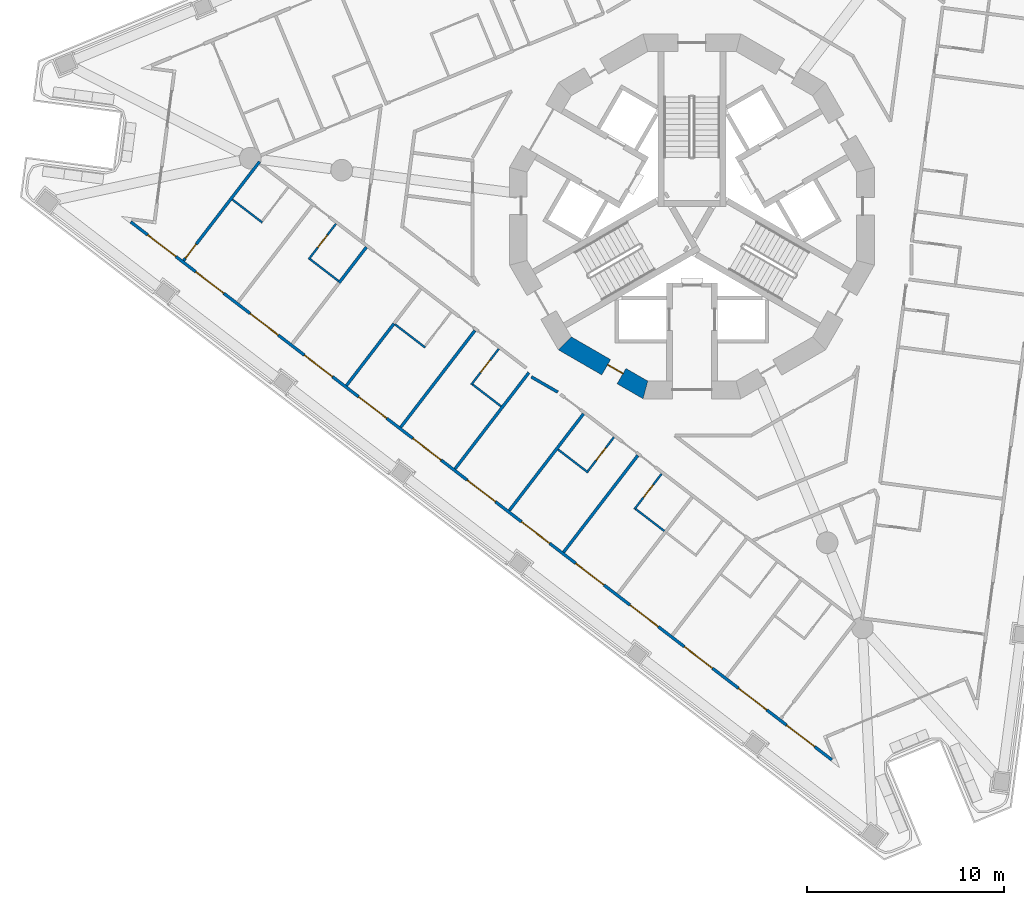
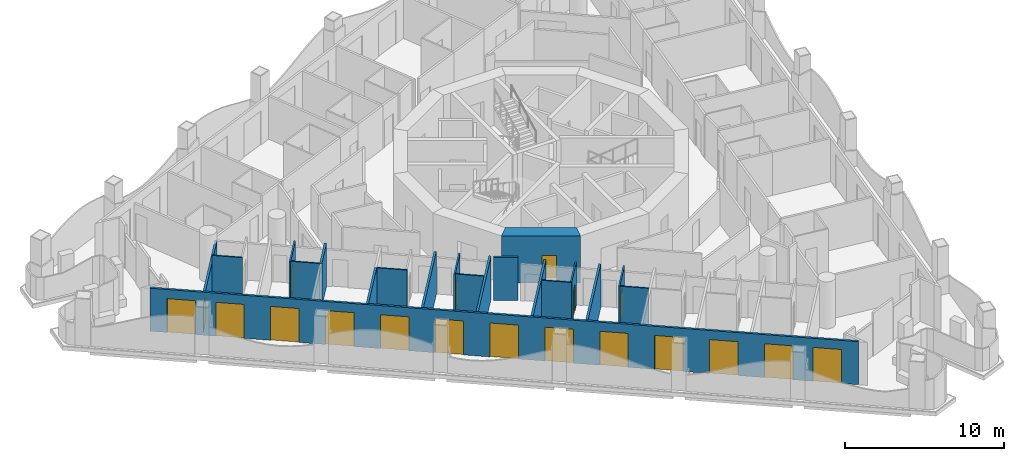
# One storey, part 2 of 17: 20 walls, 19 doors, 19 openings.
"""IFC4 building model written with IfcOpenShell, lengths in metres."""

from ifc_helpers import new_model, si_unit, direction, frame, frame_2d, origin, place, context, subcontext, project, spatial, polyline, rectangle, outline, extrude, material, layer, layer_set, type_object, element, fill, save


model = new_model("IFC4")

# Units and contexts
model_context = context("Model", 3, precision=1e-05, world=origin(), true_north=direction((0.0, 1.0)))
body_context = subcontext(model_context, "Body", "Model", "MODEL_VIEW")
ifc_project = project(units=[si_unit("LENGTHUNIT", "METRE"), si_unit("AREAUNIT", "SQUARE_METRE"), si_unit("VOLUMEUNIT", "CUBIC_METRE"), si_unit("PLANEANGLEUNIT", "RADIAN"), si_unit("MASSUNIT", "GRAM", prefix="KILO")], contexts=[model_context])

# Site, building, storey
site_placement = place(None, origin())
site = spatial("IfcSite", under=ifc_project, at=site_placement, CompositionType="ELEMENT")
building_placement = place(site_placement, origin())
building = spatial("IfcBuilding", under=site, at=building_placement, Name="Trine Commons Tower", CompositionType="ELEMENT")
storey_placement = place(building_placement, frame((0.0, 0.0, 149.39990234375)))
storey = spatial("IfcBuildingStorey", under=building, at=storey_placement, Name="L38", CompositionType="ELEMENT", Elevation=149.39990234375)

# Wall, openings, doors
ifc_material_1 = material(Name="Aluminium-framed insulated wall panel", Category="aluminium")
ifc_layer_1 = layer(ifc_material_1, 0.14990234375)
ifc_layer_set_1 = layer_set([ifc_layer_1], Name="Aluminium-framed insulated wall panel")
wall_type_1 = type_object("IfcWallType", Name="Glazed frame wall 150, EI 60", PredefinedType="SOLIDWALL", material=ifc_layer_set_1)
wall_1_placement = place(storey_placement, frame((87.22509765625, 34.786376953125, 0.0), z_axis=(0.0, 0.0, 1.0), x_axis=(-0.793353605974, 0.608761082764, 0.0)))
wall_1 = element("IfcWall", 1, at=wall_1_placement, inside=storey, type_object=wall_type_1, Name="Glazed frame wall F3", PredefinedType="SOLIDWALL", context=body_context, shape_type="SweptSolid", body=[
    extrude(outline(polyline([(0.1494140625, 0.074951171875), (0.1494140625, -0.074951171875), (45.056884765625, -0.074951171875), (45.056884765625, 0.074951171875), (0.1494140625, 0.074951171875)])), origin(), (0.0, 0.0, 1.0), 3.300048828125),
])
opening_1_placement = place(wall_1_placement, frame((1.23876953125, 0.0, 0.0)))
opening_1 = element("IfcOpeningElement", 2, at=opening_1_placement, cuts=wall_1, Name="Opening BD-4F3-01", PredefinedType="OPENING", context=body_context, shape_type="SweptSolid", body=[
    extrude(rectangle(XDim=1.800048828125, YDim=2.60009765625, at=frame_2d((0.89990234375, 1.300048828125))), frame((0.0, 0.0849609375, 0.0), z_axis=(0.0, -1.0, 0.0), x_axis=(1.0, 0.0, 0.0)), (0.0, 0.0, 1.0), 0.169921875),
])
opening_2_placement = place(wall_1_placement, frame((4.316162109375, 0.0, 0.0)))
opening_2 = element("IfcOpeningElement", 3, at=opening_2_placement, cuts=wall_1, Name="Opening BD-4F3-02", PredefinedType="OPENING", context=body_context, shape_type="SweptSolid", body=[
    extrude(rectangle(XDim=1.800048828125, YDim=2.60009765625, at=frame_2d((0.89990234375, 1.300048828125))), frame((0.0, 0.0849609375, 0.0), z_axis=(0.0, -1.0, 0.0), x_axis=(1.0, 0.0, 0.0)), (0.0, 0.0, 1.0), 0.169921875),
])
opening_3_placement = place(wall_1_placement, frame((7.79345703125, 0.0, 0.0)))
opening_3 = element("IfcOpeningElement", 4, at=opening_3_placement, cuts=wall_1, Name="Opening BD-4F3-03", PredefinedType="OPENING", context=body_context, shape_type="SweptSolid", body=[
    extrude(rectangle(XDim=1.800048828125, YDim=2.60009765625, at=frame_2d((0.89990234375, 1.300048828125))), frame((0.0, 0.0849609375, 0.0), z_axis=(0.0, -1.0, 0.0), x_axis=(1.0, 0.0, 0.0)), (0.0, 0.0, 1.0), 0.169921875),
])
opening_4_placement = place(wall_1_placement, frame((11.27099609375, 0.0, 0.0)))
opening_4 = element("IfcOpeningElement", 5, at=opening_4_placement, cuts=wall_1, Name="Opening BD-4F3-04", PredefinedType="OPENING", context=body_context, shape_type="SweptSolid", body=[
    extrude(rectangle(XDim=1.800048828125, YDim=2.60009765625, at=frame_2d((0.89990234375, 1.300048828125))), frame((0.0, 0.0849609375, 0.0), z_axis=(0.0, -1.0, 0.0), x_axis=(1.0, 0.0, 0.0)), (0.0, 0.0, 1.0), 0.169921875),
])
opening_5_placement = place(wall_1_placement, frame((14.748291015625, 0.0, 0.0)))
opening_5 = element("IfcOpeningElement", 6, at=opening_5_placement, cuts=wall_1, Name="Opening BD-4F3-05", PredefinedType="OPENING", context=body_context, shape_type="SweptSolid", body=[
    extrude(rectangle(XDim=1.800048828125, YDim=2.60009765625, at=frame_2d((0.89990234375, 1.300048828125))), frame((0.0, 0.0849609375, 0.0), z_axis=(0.0, -1.0, 0.0), x_axis=(1.0, 0.0, 0.0)), (0.0, 0.0, 1.0), 0.169921875),
])
opening_6_placement = place(wall_1_placement, frame((18.2255859375, 0.0, 0.0)))
opening_6 = element("IfcOpeningElement", 7, at=opening_6_placement, cuts=wall_1, Name="Opening BD-4F3-06", PredefinedType="OPENING", context=body_context, shape_type="SweptSolid", body=[
    extrude(rectangle(XDim=1.800048828125, YDim=2.60009765625, at=frame_2d((0.89990234375, 1.300048828125))), frame((0.0, 0.0849609375, 0.0), z_axis=(0.0, -1.0, 0.0), x_axis=(1.0, 0.0, 0.0)), (0.0, 0.0, 1.0), 0.169921875),
])
opening_7_placement = place(wall_1_placement, frame((21.703125, 0.0, 0.0)))
opening_7 = element("IfcOpeningElement", 8, at=opening_7_placement, cuts=wall_1, Name="Opening BD-4F3-07", PredefinedType="OPENING", context=body_context, shape_type="SweptSolid", body=[
    extrude(rectangle(XDim=1.800048828125, YDim=2.60009765625, at=frame_2d((0.89990234375, 1.300048828125))), frame((0.0, 0.0849609375, 0.0), z_axis=(0.0, -1.0, 0.0), x_axis=(1.0, 0.0, 0.0)), (0.0, 0.0, 1.0), 0.169921875),
])
opening_8_placement = place(wall_1_placement, frame((25.180419921875, 0.0, 0.0)))
opening_8 = element("IfcOpeningElement", 9, at=opening_8_placement, cuts=wall_1, Name="Opening BD-4F3-08", PredefinedType="OPENING", context=body_context, shape_type="SweptSolid", body=[
    extrude(rectangle(XDim=1.800048828125, YDim=2.60009765625, at=frame_2d((0.89990234375, 1.300048828125))), frame((0.0, 0.0849609375, 0.0), z_axis=(0.0, -1.0, 0.0), x_axis=(1.0, 0.0, 0.0)), (0.0, 0.0, 1.0), 0.169921875),
])
opening_9_placement = place(wall_1_placement, frame((28.657958984375, 0.0, 0.0)))
opening_9 = element("IfcOpeningElement", 10, at=opening_9_placement, cuts=wall_1, Name="Opening BD-4F3-09", PredefinedType="OPENING", context=body_context, shape_type="SweptSolid", body=[
    extrude(rectangle(XDim=1.800048828125, YDim=2.60009765625, at=frame_2d((0.89990234375, 1.300048828125))), frame((0.0, 0.0849609375, 0.0), z_axis=(0.0, -1.0, 0.0), x_axis=(1.0, 0.0, 0.0)), (0.0, 0.0, 1.0), 0.169921875),
])
opening_10_placement = place(wall_1_placement, frame((32.13525390625, 0.0, 0.0)))
opening_10 = element("IfcOpeningElement", 11, at=opening_10_placement, cuts=wall_1, Name="Opening BD-4F3-10", PredefinedType="OPENING", context=body_context, shape_type="SweptSolid", body=[
    extrude(rectangle(XDim=1.800048828125, YDim=2.60009765625, at=frame_2d((0.89990234375, 1.300048828125))), frame((0.0, 0.0849609375, 0.0), z_axis=(0.0, -1.0, 0.0), x_axis=(1.0, 0.0, 0.0)), (0.0, 0.0, 1.0), 0.169921875),
])
opening_11_placement = place(wall_1_placement, frame((35.61279296875, 0.0, 0.0)))
opening_11 = element("IfcOpeningElement", 12, at=opening_11_placement, cuts=wall_1, Name="Opening BD-4F3-11", PredefinedType="OPENING", context=body_context, shape_type="SweptSolid", body=[
    extrude(rectangle(XDim=1.800048828125, YDim=2.60009765625, at=frame_2d((0.89990234375, 1.300048828125))), frame((0.0, 0.0849609375, 0.0), z_axis=(0.0, -1.0, 0.0), x_axis=(1.0, 0.0, 0.0)), (0.0, 0.0, 1.0), 0.169921875),
])
opening_12_placement = place(wall_1_placement, frame((39.090087890625, 0.0, 0.0)))
opening_12 = element("IfcOpeningElement", 13, at=opening_12_placement, cuts=wall_1, Name="Opening BD-4F3-12", PredefinedType="OPENING", context=body_context, shape_type="SweptSolid", body=[
    extrude(rectangle(XDim=1.800048828125, YDim=2.60009765625, at=frame_2d((0.89990234375, 1.300048828125))), frame((0.0, 0.0849609375, 0.0), z_axis=(0.0, -1.0, 0.0), x_axis=(1.0, 0.0, 0.0)), (0.0, 0.0, 1.0), 0.169921875),
])
opening_13_placement = place(wall_1_placement, frame((42.16748046875, 0.0, 0.0)))
opening_13 = element("IfcOpeningElement", 14, at=opening_13_placement, cuts=wall_1, Name="Opening BD-4F3-13", PredefinedType="OPENING", context=body_context, shape_type="SweptSolid", body=[
    extrude(rectangle(XDim=1.800048828125, YDim=2.60009765625, at=frame_2d((0.89990234375, 1.300048828125))), frame((0.0, 0.0849609375, 0.0), z_axis=(0.0, -1.0, 0.0), x_axis=(1.0, 0.0, 0.0)), (0.0, 0.0, 1.0), 0.169921875),
])
ifc_material_2 = material(Name="Anodised aluminium frame with double glazing", Category="aluminium")
door_type_1 = type_object("IfcDoorType", Name="Sliding loggia door 1800x2600", OperationType="SLIDING_TO_LEFT", PredefinedType="DOOR", material=ifc_material_2)
door_1_placement = place(opening_1_placement, origin())
door_1 = element("IfcDoor", 15, at=door_1_placement, inside=storey, type_object=door_type_1, Name="Loggia door F3 1", OperationType="SLIDING_TO_LEFT", OverallHeight=2.60009765625, OverallWidth=1.800048828125, PredefinedType="DOOR", context=body_context, shape_type="SweptSolid", body=[
    extrude(rectangle(XDim=1.800048828125, YDim=2.60009765625, at=frame_2d((0.89990234375, 1.300048828125))), frame((0.0, 0.02490234375, 0.0), z_axis=(0.0, -1.0, 0.0), x_axis=(1.0, 0.0, 0.0)), (0.0, 0.0, 1.0), 0.050048828125),
])
fill(opening_1, door_1)
door_2_placement = place(opening_2_placement, origin())
door_2 = element("IfcDoor", 16, at=door_2_placement, inside=storey, type_object=door_type_1, Name="Loggia door F3 2", OperationType="SLIDING_TO_LEFT", OverallHeight=2.60009765625, OverallWidth=1.800048828125, PredefinedType="DOOR", context=body_context, shape_type="SweptSolid", body=[
    extrude(rectangle(XDim=1.800048828125, YDim=2.60009765625, at=frame_2d((0.89990234375, 1.300048828125))), frame((0.0, 0.02490234375, 0.0), z_axis=(0.0, -1.0, 0.0), x_axis=(1.0, 0.0, 0.0)), (0.0, 0.0, 1.0), 0.050048828125),
])
fill(opening_2, door_2)
door_3_placement = place(opening_3_placement, origin())
door_3 = element("IfcDoor", 17, at=door_3_placement, inside=storey, type_object=door_type_1, Name="Loggia door F3 3", OperationType="SLIDING_TO_LEFT", OverallHeight=2.60009765625, OverallWidth=1.800048828125, PredefinedType="DOOR", context=body_context, shape_type="SweptSolid", body=[
    extrude(rectangle(XDim=1.800048828125, YDim=2.60009765625, at=frame_2d((0.89990234375, 1.300048828125))), frame((0.0, 0.02490234375, 0.0), z_axis=(0.0, -1.0, 0.0), x_axis=(1.0, 0.0, 0.0)), (0.0, 0.0, 1.0), 0.050048828125),
])
fill(opening_3, door_3)
door_4_placement = place(opening_4_placement, origin())
door_4 = element("IfcDoor", 18, at=door_4_placement, inside=storey, type_object=door_type_1, Name="Loggia door F3 4", OperationType="SLIDING_TO_LEFT", OverallHeight=2.60009765625, OverallWidth=1.800048828125, PredefinedType="DOOR", context=body_context, shape_type="SweptSolid", body=[
    extrude(rectangle(XDim=1.800048828125, YDim=2.60009765625, at=frame_2d((0.89990234375, 1.300048828125))), frame((0.0, 0.02490234375, 0.0), z_axis=(0.0, -1.0, 0.0), x_axis=(1.0, 0.0, 0.0)), (0.0, 0.0, 1.0), 0.050048828125),
])
fill(opening_4, door_4)
door_5_placement = place(opening_5_placement, origin())
door_5 = element("IfcDoor", 19, at=door_5_placement, inside=storey, type_object=door_type_1, Name="Loggia door F3 5", OperationType="SLIDING_TO_LEFT", OverallHeight=2.60009765625, OverallWidth=1.800048828125, PredefinedType="DOOR", context=body_context, shape_type="SweptSolid", body=[
    extrude(rectangle(XDim=1.800048828125, YDim=2.60009765625, at=frame_2d((0.89990234375, 1.300048828125))), frame((0.0, 0.02490234375, 0.0), z_axis=(0.0, -1.0, 0.0), x_axis=(1.0, 0.0, 0.0)), (0.0, 0.0, 1.0), 0.050048828125),
])
fill(opening_5, door_5)
door_6_placement = place(opening_6_placement, origin())
door_6 = element("IfcDoor", 20, at=door_6_placement, inside=storey, type_object=door_type_1, Name="Loggia door F3 6", OperationType="SLIDING_TO_LEFT", OverallHeight=2.60009765625, OverallWidth=1.800048828125, PredefinedType="DOOR", context=body_context, shape_type="SweptSolid", body=[
    extrude(rectangle(XDim=1.800048828125, YDim=2.60009765625, at=frame_2d((0.89990234375, 1.300048828125))), frame((0.0, 0.02490234375, 0.0), z_axis=(0.0, -1.0, 0.0), x_axis=(1.0, 0.0, 0.0)), (0.0, 0.0, 1.0), 0.050048828125),
])
fill(opening_6, door_6)
door_7_placement = place(opening_7_placement, origin())
door_7 = element("IfcDoor", 21, at=door_7_placement, inside=storey, type_object=door_type_1, Name="Loggia door F3 7", OperationType="SLIDING_TO_LEFT", OverallHeight=2.60009765625, OverallWidth=1.800048828125, PredefinedType="DOOR", context=body_context, shape_type="SweptSolid", body=[
    extrude(rectangle(XDim=1.800048828125, YDim=2.60009765625, at=frame_2d((0.89990234375, 1.300048828125))), frame((0.0, 0.02490234375, 0.0), z_axis=(0.0, -1.0, 0.0), x_axis=(1.0, 0.0, 0.0)), (0.0, 0.0, 1.0), 0.050048828125),
])
fill(opening_7, door_7)
door_8_placement = place(opening_8_placement, origin())
door_8 = element("IfcDoor", 22, at=door_8_placement, inside=storey, type_object=door_type_1, Name="Loggia door F3 8", OperationType="SLIDING_TO_LEFT", OverallHeight=2.60009765625, OverallWidth=1.800048828125, PredefinedType="DOOR", context=body_context, shape_type="SweptSolid", body=[
    extrude(rectangle(XDim=1.800048828125, YDim=2.60009765625, at=frame_2d((0.89990234375, 1.300048828125))), frame((0.0, 0.02490234375, 0.0), z_axis=(0.0, -1.0, 0.0), x_axis=(1.0, 0.0, 0.0)), (0.0, 0.0, 1.0), 0.050048828125),
])
fill(opening_8, door_8)
door_9_placement = place(opening_9_placement, origin())
door_9 = element("IfcDoor", 23, at=door_9_placement, inside=storey, type_object=door_type_1, Name="Loggia door F3 9", OperationType="SLIDING_TO_LEFT", OverallHeight=2.60009765625, OverallWidth=1.800048828125, PredefinedType="DOOR", context=body_context, shape_type="SweptSolid", body=[
    extrude(rectangle(XDim=1.800048828125, YDim=2.60009765625, at=frame_2d((0.89990234375, 1.300048828125))), frame((0.0, 0.02490234375, 0.0), z_axis=(0.0, -1.0, 0.0), x_axis=(1.0, 0.0, 0.0)), (0.0, 0.0, 1.0), 0.050048828125),
])
fill(opening_9, door_9)
door_10_placement = place(opening_10_placement, origin())
door_10 = element("IfcDoor", 24, at=door_10_placement, inside=storey, type_object=door_type_1, Name="Loggia door F3 10", OperationType="SLIDING_TO_LEFT", OverallHeight=2.60009765625, OverallWidth=1.800048828125, PredefinedType="DOOR", context=body_context, shape_type="SweptSolid", body=[
    extrude(rectangle(XDim=1.800048828125, YDim=2.60009765625, at=frame_2d((0.89990234375, 1.300048828125))), frame((0.0, 0.02490234375, 0.0), z_axis=(0.0, -1.0, 0.0), x_axis=(1.0, 0.0, 0.0)), (0.0, 0.0, 1.0), 0.050048828125),
])
fill(opening_10, door_10)
door_11_placement = place(opening_11_placement, origin())
door_11 = element("IfcDoor", 25, at=door_11_placement, inside=storey, type_object=door_type_1, Name="Loggia door F3 11", OperationType="SLIDING_TO_LEFT", OverallHeight=2.60009765625, OverallWidth=1.800048828125, PredefinedType="DOOR", context=body_context, shape_type="SweptSolid", body=[
    extrude(rectangle(XDim=1.800048828125, YDim=2.60009765625, at=frame_2d((0.89990234375, 1.300048828125))), frame((0.0, 0.02490234375, 0.0), z_axis=(0.0, -1.0, 0.0), x_axis=(1.0, 0.0, 0.0)), (0.0, 0.0, 1.0), 0.050048828125),
])
fill(opening_11, door_11)
door_12_placement = place(opening_12_placement, origin())
door_12 = element("IfcDoor", 26, at=door_12_placement, inside=storey, type_object=door_type_1, Name="Loggia door F3 12", OperationType="SLIDING_TO_LEFT", OverallHeight=2.60009765625, OverallWidth=1.800048828125, PredefinedType="DOOR", context=body_context, shape_type="SweptSolid", body=[
    extrude(rectangle(XDim=1.800048828125, YDim=2.60009765625, at=frame_2d((0.89990234375, 1.300048828125))), frame((0.0, 0.02490234375, 0.0), z_axis=(0.0, -1.0, 0.0), x_axis=(1.0, 0.0, 0.0)), (0.0, 0.0, 1.0), 0.050048828125),
])
fill(opening_12, door_12)
door_13_placement = place(opening_13_placement, origin())
door_13 = element("IfcDoor", 27, at=door_13_placement, inside=storey, type_object=door_type_1, Name="Loggia door F3 13", OperationType="SLIDING_TO_LEFT", OverallHeight=2.60009765625, OverallWidth=1.800048828125, PredefinedType="DOOR", context=body_context, shape_type="SweptSolid", body=[
    extrude(rectangle(XDim=1.800048828125, YDim=2.60009765625, at=frame_2d((0.89990234375, 1.300048828125))), frame((0.0, 0.02490234375, 0.0), z_axis=(0.0, -1.0, 0.0), x_axis=(1.0, 0.0, 0.0)), (0.0, 0.0, 1.0), 0.050048828125),
])
fill(opening_13, door_13)

# Wall, opening, door
ifc_material_3 = material(Name="Concrete C70/85", Category="concrete")
ifc_layer_2 = layer(ifc_material_3, 0.89990234375)
ifc_layer_set_2 = layer_set([ifc_layer_2], Name="Concrete C70/85")
wall_type_2 = type_object("IfcWallType", Name="RC shear wall 900 mm, C70/85", PredefinedType="SHEAR", material=ifc_layer_set_2)
wall_2_placement = place(storey_placement, frame((73.436767578125, 56.1015625, 0.0), z_axis=(0.0, 0.0, 1.0), x_axis=(0.866003133579, -0.500038571144, 0.0)))
wall_2 = element("IfcWall", 28, at=wall_2_placement, inside=storey, type_object=wall_type_2, Name="Core wall CWD-09 L38", PredefinedType="SHEAR", context=body_context, shape_type="SweptSolid", body=[
    extrude(outline(polyline([(0.0, -0.449951171875), (4.96923828125, -0.449951171875), (4.72802734375, 0.449951171875), (0.2412109375, 0.449951171875), (0.0, -0.449951171875)])), origin(), (0.0, 0.0, 1.0), 3.60009765625),
])
opening_14_placement = place(wall_2_placement, frame((2.5458984375, 0.0, 0.0)))
opening_14 = element("IfcOpeningElement", 29, at=opening_14_placement, cuts=wall_2, Name="Opening K09.14", PredefinedType="OPENING", context=body_context, shape_type="SweptSolid", body=[
    extrude(rectangle(XDim=0.89990234375, YDim=2.10009765625, at=frame_2d((0.449951171875, 1.050048828125))), frame((0.0, 0.4599609375, 0.0), z_axis=(0.0, -1.0, 0.0), x_axis=(1.0, 0.0, 0.0)), (0.0, 0.0, 1.0), 0.919921875),
])
ifc_material_4 = material(Name="Steel door leaf, fire-rated", Category="steel")
door_type_2 = type_object("IfcDoorType", Name="Core room door, single leaf 900 x 2100, FD30S", OperationType="SINGLE_SWING_LEFT", PredefinedType="DOOR", material=ifc_material_4)
door_14_placement = place(opening_14_placement, origin())
door_14 = element("IfcDoor", 30, at=door_14_placement, inside=storey, type_object=door_type_2, Name="Door to Core WC L38", OperationType="SINGLE_SWING_RIGHT", OverallHeight=2.10009765625, OverallWidth=0.89990234375, PredefinedType="DOOR", context=body_context, shape_type="SweptSolid", body=[
    extrude(rectangle(XDim=0.89990234375, YDim=2.10009765625, at=frame_2d((0.449951171875, 1.050048828125))), frame((0.0, 0.1748046875, 0.0), z_axis=(0.0, -1.0, 0.0), x_axis=(1.0, 0.0, 0.0)), (0.0, 0.0, 1.0), 0.050048828125),
])
fill(opening_14, door_14)

ifc_material_5 = material(Name="Gypsum plasterboard on steel stud", Category="steel")
ifc_layer_3 = layer(ifc_material_5, 0.14990234375)
ifc_layer_set_3 = layer_set([ifc_layer_3], Name="Gypsum plasterboard on steel stud")
wall_type_3 = type_object("IfcWallType", Name="Unit and corridor wall 150 mm, EI 60", PredefinedType="PARTITIONING", material=ifc_layer_set_3)
wall_3_placement = place(storey_placement, frame((54.165283203125, 60.248779296875, 0.0), z_axis=(0.0, 0.0, 1.0), x_axis=(0.608817658648, 0.793310190605, 0.0)))
wall_3 = element("IfcWall", 31, at=wall_3_placement, inside=storey, type_object=wall_type_3, Name="Partition 001", PredefinedType="PARTITIONING", context=body_context, shape_type="SweptSolid", body=[
    extrude(rectangle(XDim=6.343994140625, YDim=0.14990234375, at=frame_2d((3.171875, 0.0))), origin(), (0.0, 0.0, 1.0), 2.800048828125),
])
opening_15_placement = place(wall_3_placement, frame((0.14990234375, 0.0, 0.0)))
opening_15 = element("IfcOpeningElement", 32, at=opening_15_placement, cuts=wall_3, Name="Opening D-4C32", PredefinedType="OPENING", context=body_context, shape_type="SweptSolid", body=[
    extrude(rectangle(XDim=0.89990234375, YDim=2.10009765625, at=frame_2d((0.449951171875, 1.050048828125))), frame((0.0, 0.0849609375, 0.0), z_axis=(0.0, -1.0, 0.0), x_axis=(1.0, 0.0, 0.0)), (0.0, 0.0, 1.0), 0.169921875),
])
ifc_material_6 = material(Name="Timber fire door set", Category="wood")
door_type_3 = type_object("IfcDoorType", Name="Bedroom door 900 x 2100, FD30S", OperationType="NOTDEFINED", PredefinedType="DOOR", material=ifc_material_6)
door_15_placement = place(opening_15_placement, frame((0.89990234375, 0.0, 0.0), z_axis=(0.0, 0.0, 1.0), x_axis=(-1.0, 0.0, 0.0)))
door_15 = element("IfcDoor", 33, at=door_15_placement, inside=storey, type_object=door_type_3, Name="Door D-4C32", OperationType="SINGLE_SWING_RIGHT", OverallHeight=2.10009765625, OverallWidth=0.89990234375, PredefinedType="DOOR", context=body_context, shape_type="SweptSolid", body=[
    extrude(rectangle(XDim=0.89990234375, YDim=2.10009765625, at=frame_2d((0.449951171875, 1.050048828125))), frame((0.0, 0.02490234375, 0.0), z_axis=(0.0, -1.0, 0.0), x_axis=(1.0, 0.0, 0.0)), (0.0, 0.0, 1.0), 0.050048828125),
])
fill(opening_15, door_15)

# Walls
wall_4_placement = place(storey_placement, frame((62.066650390625, 59.121337890625, 0.0), z_axis=(0.0, 0.0, 1.0), x_axis=(0.608570992326, 0.793499431191, 0.0)))
element("IfcWall", 34, at=wall_4_placement, inside=storey, type_object=wall_type_3, Name="Partition 017", PredefinedType="PARTITIONING", context=body_context, shape_type="SweptSolid", body=[
    extrude(rectangle(XDim=2.278564453125, YDim=0.14990234375, at=frame_2d((1.13916015625, 0.0))), origin(), (0.0, 0.0, 1.0), 3.300048828125),
])
wall_5_placement = place(storey_placement, frame((62.44140625, 53.897705078125, 0.0), z_axis=(0.0, 0.0, 1.0), x_axis=(0.608741371631, 0.793368730455, 0.0)))
element("IfcWall", 35, at=wall_5_placement, inside=storey, type_object=wall_type_3, Name="Partition 018", PredefinedType="PARTITIONING", context=body_context, shape_type="SweptSolid", body=[
    extrude(rectangle(XDim=3.9697265625, YDim=0.14990234375, at=frame_2d((1.98486328125, 0.0))), origin(), (0.0, 0.0, 1.0), 3.300048828125),
])
wall_6_placement = place(storey_placement, frame((65.2001953125, 51.78076171875, 0.0), z_axis=(0.0, 0.0, 1.0), x_axis=(0.608735145032, 0.793373508004, 0.0)))
element("IfcWall", 36, at=wall_6_placement, inside=storey, type_object=wall_type_3, Name="Partition 027", PredefinedType="PARTITIONING", context=body_context, shape_type="SweptSolid", body=[
    extrude(rectangle(XDim=6.19482421875, YDim=0.14990234375, at=frame_2d((3.097412109375, 0.0))), origin(), (0.0, 0.0, 1.0), 3.300048828125),
])
wall_7_placement = place(storey_placement, frame((67.959228515625, 49.664794921875, 0.0), z_axis=(0.0, 0.0, 1.0), x_axis=(0.608744029894, 0.793366690798, 0.0)))
element("IfcWall", 37, at=wall_7_placement, inside=storey, type_object=wall_type_3, Name="Partition 038", PredefinedType="PARTITIONING", context=body_context, shape_type="SweptSolid", body=[
    extrude(rectangle(XDim=6.166259765625, YDim=0.14990234375, at=frame_2d((3.0830078125, 0.0))), origin(), (0.0, 0.0, 1.0), 3.300048828125),
])
wall_8_placement = place(storey_placement, frame((70.71826171875, 47.547607421875, 0.0), z_axis=(0.0, 0.0, 1.0), x_axis=(0.608712047114, 0.79339122991, 0.0)))
element("IfcWall", 38, at=wall_8_placement, inside=storey, type_object=wall_type_3, Name="Partition 047", PredefinedType="PARTITIONING", context=body_context, shape_type="SweptSolid", body=[
    extrude(rectangle(XDim=6.193359375, YDim=0.14990234375, at=frame_2d((3.0966796875, 0.0))), origin(), (0.0, 0.0, 1.0), 3.300048828125),
])
wall_9_placement = place(storey_placement, frame((71.839111328125, 54.339111328125, 0.0), z_axis=(0.0, 0.0, 1.0), x_axis=(0.866054481515, -0.499949632511, 0.0)))
element("IfcWall", 39, at=wall_9_placement, inside=storey, type_object=wall_type_3, Name="Partition 052", PredefinedType="PARTITIONING", context=body_context, shape_type="SweptSolid", body=[
    extrude(rectangle(XDim=1.550537109375, YDim=0.14990234375, at=frame_2d((0.775390625, 0.0))), origin(), (0.0, 0.0, 1.0), 3.300048828125),
])
wall_10_placement = place(storey_placement, frame((73.476318359375, 45.4306640625, 0.0), z_axis=(0.0, 0.0, 1.0), x_axis=(0.608811285709, 0.79331508141, 0.0)))
element("IfcWall", 40, at=wall_10_placement, inside=storey, type_object=wall_type_3, Name="Partition 056", PredefinedType="PARTITIONING", context=body_context, shape_type="SweptSolid", body=[
    extrude(rectangle(XDim=6.194091796875, YDim=0.14990234375, at=frame_2d((3.09716796875, 0.0))), origin(), (0.0, 0.0, 1.0), 3.300048828125),
])
ifc_layer_4 = layer(ifc_material_5, 0.10009765625)
ifc_layer_set_4 = layer_set([ifc_layer_4], Name="Gypsum plasterboard on steel stud")
wall_type_4 = type_object("IfcWallType", Name="Unit partition 100 mm, no rating", PredefinedType="PARTITIONING", material=ifc_layer_set_4)
wall_11_placement = place(storey_placement, frame((56.640380859375, 63.352294921875, 0.0), z_axis=(0.0, 0.0, 1.0), x_axis=(0.793438942522, -0.608649853766, 0.0)))
element("IfcWall", 41, at=wall_11_placement, inside=storey, type_object=wall_type_4, Name="Partition 003", PredefinedType="PARTITIONING", context=body_context, shape_type="SweptSolid", body=[
    extrude(rectangle(XDim=1.925048828125, YDim=0.10009765625, at=frame_2d((0.96240234375, 0.0))), origin(), (0.0, 0.0, 1.0), 3.300048828125),
])

# Wall, opening, door
wall_12_placement = place(storey_placement, frame((60.521484375, 60.311279296875, 0.0), z_axis=(0.0, 0.0, 1.0), x_axis=(0.608719842686, 0.793385248867, 0.0)))
wall_12 = element("IfcWall", 42, at=wall_12_placement, inside=storey, type_object=wall_type_4, Name="Partition 012", PredefinedType="PARTITIONING", context=body_context, shape_type="SweptSolid", body=[
    extrude(rectangle(XDim=2.275390625, YDim=0.10009765625, at=frame_2d((1.1376953125, 0.0))), origin(), (0.0, 0.0, 1.0), 3.300048828125),
])
opening_16_placement = place(wall_12_placement, frame((0.762451171875, 0.0, 0.0)))
opening_16 = element("IfcOpeningElement", 43, at=opening_16_placement, cuts=wall_12, Name="Opening D-4C60", PredefinedType="OPENING", context=body_context, shape_type="SweptSolid", body=[
    extrude(rectangle(XDim=0.800048828125, YDim=2.10009765625, at=frame_2d((0.39990234375, 1.050048828125))), frame((0.0, 0.06005859375, 0.0), z_axis=(0.0, -1.0, 0.0), x_axis=(1.0, 0.0, 0.0)), (0.0, 0.0, 1.0), 0.1201171875),
])
ifc_material_7 = material(Name="Painted timber", Category="wood")
door_type_4 = type_object("IfcDoorType", Name="Internal door 800 x 2100, NOT RATED", OperationType="NOTDEFINED", PredefinedType="DOOR", material=ifc_material_7)
door_16_placement = place(opening_16_placement, origin())
door_16 = element("IfcDoor", 44, at=door_16_placement, inside=storey, type_object=door_type_4, Name="Door D-4C60", OperationType="SINGLE_SWING_RIGHT", OverallHeight=2.10009765625, OverallWidth=0.800048828125, PredefinedType="DOOR", context=body_context, shape_type="SweptSolid", body=[
    extrude(rectangle(XDim=0.800048828125, YDim=2.10009765625, at=frame_2d((0.39990234375, 1.050048828125))), frame((0.0, 0.02490234375, 0.0), z_axis=(0.0, -1.0, 0.0), x_axis=(1.0, 0.0, 0.0)), (0.0, 0.0, 1.0), 0.050048828125),
])
fill(opening_16, door_16)

# Walls
wall_13_placement = place(storey_placement, frame((60.591796875, 60.320556640625, 0.0), z_axis=(0.0, 0.0, 1.0), x_axis=(0.793369431695, -0.608740457709, 0.0)))
element("IfcWall", 45, at=wall_13_placement, inside=storey, type_object=wall_type_4, Name="Partition 013", PredefinedType="PARTITIONING", context=body_context, shape_type="SweptSolid", body=[
    extrude(rectangle(XDim=1.82470703125, YDim=0.10009765625, at=frame_2d((0.912353515625, 0.0))), origin(), (0.0, 0.0, 1.0), 3.300048828125),
])
wall_14_placement = place(storey_placement, frame((64.91748046875, 57.001220703125, 0.0), z_axis=(0.0, 0.0, 1.0), x_axis=(0.793391951231, -0.608711106948, 0.0)))
element("IfcWall", 46, at=wall_14_placement, inside=storey, type_object=wall_type_4, Name="Partition 026", PredefinedType="PARTITIONING", context=body_context, shape_type="SweptSolid", body=[
    extrude(rectangle(XDim=1.9248046875, YDim=0.10009765625, at=frame_2d((0.96240234375, 0.0))), origin(), (0.0, 0.0, 1.0), 3.300048828125),
])

# Wall, opening, door
wall_15_placement = place(storey_placement, frame((68.78369140625, 53.9423828125, 0.0), z_axis=(0.0, 0.0, 1.0), x_axis=(0.608986677523, 0.793180450212, 0.0)))
wall_15 = element("IfcWall", 47, at=wall_15_placement, inside=storey, type_object=wall_type_4, Name="Partition 040", PredefinedType="PARTITIONING", context=body_context, shape_type="SweptSolid", body=[
    extrude(rectangle(XDim=2.29833984375, YDim=0.10009765625, at=frame_2d((1.149169921875, 0.0))), origin(), (0.0, 0.0, 1.0), 3.300048828125),
])
opening_17_placement = place(wall_15_placement, frame((0.7744140625, 0.0, 0.0)))
opening_17 = element("IfcOpeningElement", 48, at=opening_17_placement, cuts=wall_15, Name="Opening D-4C58", PredefinedType="OPENING", context=body_context, shape_type="SweptSolid", body=[
    extrude(rectangle(XDim=0.800048828125, YDim=2.10009765625, at=frame_2d((0.39990234375, 1.050048828125))), frame((0.0, 0.06005859375, 0.0), z_axis=(0.0, -1.0, 0.0), x_axis=(1.0, 0.0, 0.0)), (0.0, 0.0, 1.0), 0.1201171875),
])
door_17_placement = place(opening_17_placement, origin())
door_17 = element("IfcDoor", 49, at=door_17_placement, inside=storey, type_object=door_type_4, Name="Door D-4C58", OperationType="SINGLE_SWING_RIGHT", OverallHeight=2.10009765625, OverallWidth=0.800048828125, PredefinedType="DOOR", context=body_context, shape_type="SweptSolid", body=[
    extrude(rectangle(XDim=0.800048828125, YDim=2.10009765625, at=frame_2d((0.39990234375, 1.050048828125))), frame((0.0, 0.02490234375, 0.0), z_axis=(0.0, -1.0, 0.0), x_axis=(1.0, 0.0, 0.0)), (0.0, 0.0, 1.0), 0.050048828125),
])
fill(opening_17, door_17)

# Walls
wall_16_placement = place(storey_placement, frame((68.853759765625, 53.95166015625, 0.0), z_axis=(0.0, 0.0, 1.0), x_axis=(0.793369431695, -0.608740457709, 0.0)))
element("IfcWall", 50, at=wall_16_placement, inside=storey, type_object=wall_type_4, Name="Partition 041", PredefinedType="PARTITIONING", context=body_context, shape_type="SweptSolid", body=[
    extrude(rectangle(XDim=1.82470703125, YDim=0.10009765625, at=frame_2d((0.912353515625, 0.0))), origin(), (0.0, 0.0, 1.0), 3.300048828125),
])
wall_17_placement = place(storey_placement, frame((73.193603515625, 50.650390625, 0.0), z_axis=(0.0, 0.0, 1.0), x_axis=(0.793330694412, -0.608790940556, 0.0)))
element("IfcWall", 51, at=wall_17_placement, inside=storey, type_object=wall_type_4, Name="Partition 053", PredefinedType="PARTITIONING", context=body_context, shape_type="SweptSolid", body=[
    extrude(rectangle(XDim=1.9248046875, YDim=0.10009765625, at=frame_2d((0.96240234375, 0.0))), origin(), (0.0, 0.0, 1.0), 3.300048828125),
])

# Wall, opening, door
wall_18_placement = place(storey_placement, frame((74.71142578125, 49.548583984375, 0.0), z_axis=(0.0, 0.0, 1.0), x_axis=(0.608674216197, 0.79342025342, 0.0)))
wall_18 = element("IfcWall", 52, at=wall_18_placement, inside=storey, type_object=wall_type_4, Name="Partition 060", PredefinedType="PARTITIONING", context=body_context, shape_type="SweptSolid", body=[
    extrude(rectangle(XDim=2.17529296875, YDim=0.10009765625, at=frame_2d((1.087646484375, 0.0))), origin(), (0.0, 0.0, 1.0), 3.300048828125),
])
opening_18_placement = place(wall_18_placement, frame((0.6875, 0.0, 0.0)))
opening_18 = element("IfcOpeningElement", 53, at=opening_18_placement, cuts=wall_18, Name="Opening D-4C57", PredefinedType="OPENING", context=body_context, shape_type="SweptSolid", body=[
    extrude(rectangle(XDim=0.800048828125, YDim=2.10009765625, at=frame_2d((0.39990234375, 1.050048828125))), frame((0.0, 0.06005859375, 0.0), z_axis=(0.0, -1.0, 0.0), x_axis=(1.0, 0.0, 0.0)), (0.0, 0.0, 1.0), 0.1201171875),
])
door_18_placement = place(opening_18_placement, frame((0.800048828125, 0.0, 0.0), z_axis=(0.0, 0.0, 1.0), x_axis=(-1.0, 0.0, 0.0)))
door_18 = element("IfcDoor", 54, at=door_18_placement, inside=storey, type_object=door_type_4, Name="Door D-4C57", OperationType="SINGLE_SWING_LEFT", OverallHeight=2.10009765625, OverallWidth=0.800048828125, PredefinedType="DOOR", context=body_context, shape_type="SweptSolid", body=[
    extrude(rectangle(XDim=0.800048828125, YDim=2.10009765625, at=frame_2d((0.39990234375, 1.050048828125))), frame((0.0, 0.02490234375, 0.0), z_axis=(0.0, -1.0, 0.0), x_axis=(1.0, 0.0, 0.0)), (0.0, 0.0, 1.0), 0.050048828125),
])
fill(opening_18, door_18)

wall_19_placement = place(storey_placement, frame((77.07470703125, 47.6103515625, 0.0), z_axis=(0.0, 0.0, 1.0), x_axis=(0.60879207473, 0.793329824062, 0.0)))
wall_19 = element("IfcWall", 55, at=wall_19_placement, inside=storey, type_object=wall_type_4, Name="Partition 064", PredefinedType="PARTITIONING", context=body_context, shape_type="SweptSolid", body=[
    extrude(rectangle(XDim=2.274169921875, YDim=0.10009765625, at=frame_2d((1.13720703125, 0.0))), origin(), (0.0, 0.0, 1.0), 3.300048828125),
])
opening_19_placement = place(wall_19_placement, frame((0.76220703125, 0.0, 0.0)))
opening_19 = element("IfcOpeningElement", 56, at=opening_19_placement, cuts=wall_19, Name="Opening D-4C56", PredefinedType="OPENING", context=body_context, shape_type="SweptSolid", body=[
    extrude(rectangle(XDim=0.800048828125, YDim=2.10009765625, at=frame_2d((0.39990234375, 1.050048828125))), frame((0.0, 0.06005859375, 0.0), z_axis=(0.0, -1.0, 0.0), x_axis=(1.0, 0.0, 0.0)), (0.0, 0.0, 1.0), 0.1201171875),
])
door_19_placement = place(opening_19_placement, origin())
door_19 = element("IfcDoor", 57, at=door_19_placement, inside=storey, type_object=door_type_4, Name="Door D-4C56", OperationType="SINGLE_SWING_RIGHT", OverallHeight=2.10009765625, OverallWidth=0.800048828125, PredefinedType="DOOR", context=body_context, shape_type="SweptSolid", body=[
    extrude(rectangle(XDim=0.800048828125, YDim=2.10009765625, at=frame_2d((0.39990234375, 1.050048828125))), frame((0.0, 0.02490234375, 0.0), z_axis=(0.0, -1.0, 0.0), x_axis=(1.0, 0.0, 0.0)), (0.0, 0.0, 1.0), 0.050048828125),
])
fill(opening_19, door_19)

# Wall
wall_20_placement = place(storey_placement, frame((77.144775390625, 47.619384765625, 0.0), z_axis=(0.0, 0.0, 1.0), x_axis=(0.79317559606, -0.608992999808, 0.0)))
element("IfcWall", 58, at=wall_20_placement, inside=storey, type_object=wall_type_4, Name="Partition 065", PredefinedType="PARTITIONING", context=body_context, shape_type="SweptSolid", body=[
    extrude(rectangle(XDim=1.8251953125, YDim=0.10009765625, at=frame_2d((0.91259765625, 0.0))), origin(), (0.0, 0.0, 1.0), 3.300048828125),
])

save(model, "model.ifc")
